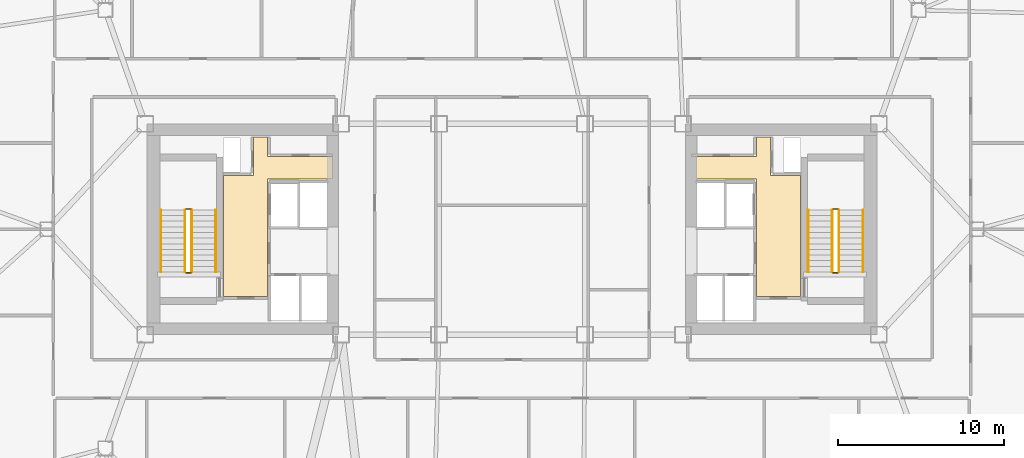
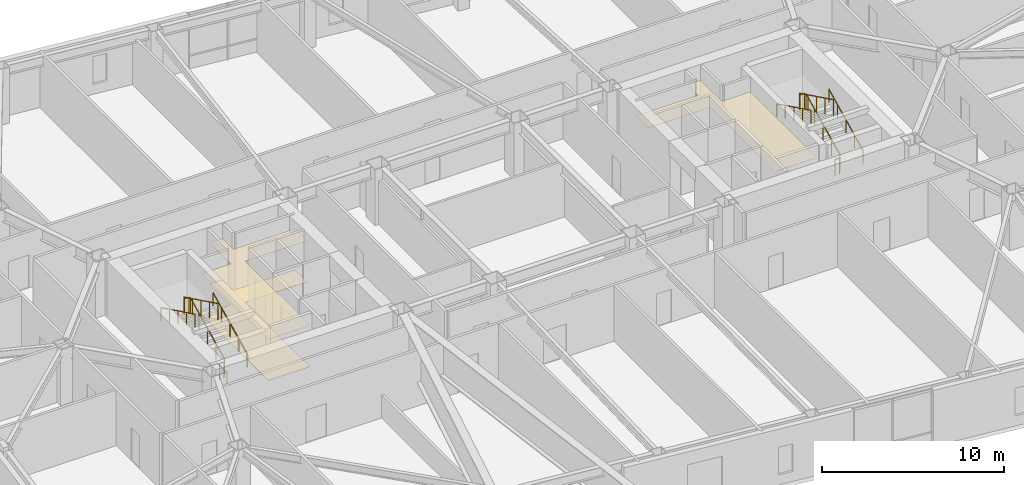
# One storey, part 22 of 22: 12 railings, 3 coverings.
"""IFC4 building model written with IfcOpenShell, lengths in metres."""

from ifc_helpers import new_model, si_unit, direction, frame, origin, origin_2d, place, context, subcontext, project, spatial, polyline, rectangle, outline, extrude, material, layer, layer_set, type_object, element, save


model = new_model("IFC4")

# Units and contexts
model_context = context("Model", 3, precision=1e-05, world=origin(), true_north=direction((0.0, 1.0)))
body_context = subcontext(model_context, "Body", "Model", "MODEL_VIEW")
ifc_project = project(units=[si_unit("LENGTHUNIT", "METRE"), si_unit("AREAUNIT", "SQUARE_METRE"), si_unit("VOLUMEUNIT", "CUBIC_METRE"), si_unit("PLANEANGLEUNIT", "RADIAN"), si_unit("MASSUNIT", "GRAM", prefix="KILO")], contexts=[model_context])

# Site, building, storey
site_placement = place(None, origin())
site = spatial("IfcSite", under=ifc_project, at=site_placement, CompositionType="ELEMENT")
building_placement = place(site_placement, origin())
building = spatial("IfcBuilding", under=site, at=building_placement, Name="Tavrogorsk Clinical Tower", CompositionType="ELEMENT")
storey_placement = place(building_placement, frame((0.0, 0.0, 93.39990234375)))
storey = spatial("IfcBuildingStorey", under=building, at=storey_placement, Name="L20", CompositionType="ELEMENT", Elevation=93.39990234375)

# Coverings
ifc_material_1 = material(Name="Antibacterial micro-perforated aluminium ceiling", Category="aluminium")
ifc_layer_1 = layer(ifc_material_1, 0.014892578125)
ifc_layer_set_1 = layer_set([ifc_layer_1], Name="Antibacterial micro-perforated aluminium ceiling")
covering_type_1 = type_object("IfcCoveringType", Name="ClinicalCeiling_15", PredefinedType="CEILING", material=ifc_layer_set_1)
covering_1_placement = place(storey_placement, frame((0.0, 0.0, 2.75)))
element("IfcCovering", 1, at=covering_1_placement, inside=storey, type_object=covering_type_1, Name="Core West Firefighting Lift Lobby Acoustic Ceiling", PredefinedType="CEILING", context=body_context, shape_type="SweptSolid", body=[
    extrude(outline(polyline([(-14.719970703125, 4.3798828125), (-10.800048828125, 4.3798828125), (-10.800048828125, 3.0400390625), (-14.719970703125, 3.0400390625), (-14.719970703125, -4.06005859375), (-17.3798828125, -4.06005859375), (-17.3798828125, 3.239990234375), (-15.56005859375, 3.239990234375), (-15.56005859375, 5.56005859375), (-14.719970703125, 5.56005859375), (-14.719970703125, 4.3798828125)])), origin(), (0.0, 0.0, 1.0), 0.01513671875),
])
covering_2_placement = place(storey_placement, frame((0.0, 0.0, 2.75)))
element("IfcCovering", 2, at=covering_2_placement, inside=storey, type_object=covering_type_1, Name="Core East Firefighting Lift Lobby Acoustic Ceiling", PredefinedType="CEILING", context=body_context, shape_type="SweptSolid", body=[
    extrude(outline(polyline([(14.719970703125, -4.06005859375), (14.719970703125, 3.0400390625), (10.800048828125, 3.0400390625), (10.800048828125, 4.3798828125), (14.719970703125, 4.3798828125), (14.719970703125, 5.56005859375), (15.56005859375, 5.56005859375), (15.56005859375, 3.239990234375), (17.3798828125, 3.239990234375), (17.3798828125, -4.06005859375), (14.719970703125, -4.06005859375)])), origin(), (0.0, 0.0, 1.0), 0.01513671875),
])
ifc_material_2 = material(Name="Homogeneous medical conductive PVC flooring")
ifc_layer_2 = layer(ifc_material_2, 0.008056640625)
ifc_layer_set_2 = layer_set([ifc_layer_2], Name="Homogeneous medical conductive PVC flooring")
covering_type_2 = type_object("IfcCoveringType", Name="ResilientVinylFloor_8", PredefinedType="FLOORING", material=ifc_layer_set_2)
covering_3_placement = place(storey_placement, origin())
element("IfcCovering", 3, at=covering_3_placement, inside=storey, type_object=covering_type_2, Name="Core West Firefighting Lift Lobby Conductive Vinyl Flooring", PredefinedType="FLOORING", context=body_context, shape_type="SweptSolid", body=[
    extrude(outline(polyline([(-14.719970703125, 4.3798828125), (-10.800048828125, 4.3798828125), (-10.800048828125, 3.0400390625), (-14.719970703125, 3.0400390625), (-14.719970703125, -4.06005859375), (-17.3798828125, -4.06005859375), (-17.3798828125, 3.239990234375), (-15.56005859375, 3.239990234375), (-15.56005859375, 5.56005859375), (-14.719970703125, 5.56005859375), (-14.719970703125, 4.3798828125)])), origin(), (0.0, 0.0, 1.0), 0.008056640625),
])

# Railings
ifc_material_3 = material(Name="Galvanised steel S355 safety stairwell guard", Category="steel")
ifc_layer_3 = layer(ifc_material_3, 0.06005859375)
ifc_layer_set_3 = layer_set([ifc_layer_3], Name="Galvanised steel S355 safety stairwell guard")
railing_type_1 = type_object("IfcRailingType", Name="StairGuard_1150", PredefinedType="GUARDRAIL", material=ifc_layer_set_3)
railing_1_placement = place(storey_placement, frame((-19.300048828125, -2.574951171875, 0.166748046875)))
element("IfcRailing", 4, at=railing_1_placement, inside=storey, type_object=railing_type_1, Name="L20 ST-W stair guard 1", PredefinedType="GUARDRAIL", context=body_context, shape_type="SweptSolid", body=[
    extrude(rectangle(XDim=0.048095703125, YDim=0.048095703125, at=origin_2d()), frame((0.0, 0.0, 1.076171875), z_axis=(0.0, 0.897927990467, 0.440142390523), x_axis=(-1.0, 0.0, 0.0)), (0.0, 0.0, 1.0), 4.1650390625),
    extrude(rectangle(XDim=0.0419921875, YDim=0.0419921875, at=origin_2d()), origin(), (0.0, 0.0, 1.0), 1.052001953125),
    extrude(rectangle(XDim=0.0419921875, YDim=0.0419921875, at=origin_2d()), frame((0.0, 0.93505859375, 0.458251953125)), (0.0, 0.0, 1.0), 1.052001953125),
    extrude(rectangle(XDim=0.0419921875, YDim=0.0419921875, at=origin_2d()), frame((0.0, 1.8701171875, 0.91650390625)), (0.0, 0.0, 1.0), 1.052001953125),
    extrude(rectangle(XDim=0.0419921875, YDim=0.0419921875, at=origin_2d()), frame((0.0, 2.804931640625, 1.375)), (0.0, 0.0, 1.0), 1.052001953125),
    extrude(rectangle(XDim=0.0419921875, YDim=0.0419921875, at=origin_2d()), frame((0.0, 3.739990234375, 1.833251953125)), (0.0, 0.0, 1.0), 1.052001953125),
])
railing_2_placement = place(storey_placement, frame((-19.35009765625, 1.215087890625, 2.0)))
element("IfcRailing", 5, at=railing_2_placement, inside=storey, type_object=railing_type_1, Name="L20 ST-W stair guard 2", PredefinedType="GUARDRAIL", context=body_context, shape_type="SweptSolid", body=[
    extrude(rectangle(XDim=0.048095703125, YDim=0.048095703125, at=origin_2d()), frame((0.0, 0.0, 1.076171875), z_axis=(-1.0, 0.0, 0.0), x_axis=(0.0, -1.0, 0.0)), (0.0, 0.0, 1.0), 0.2998046875),
    extrude(rectangle(XDim=0.0419921875, YDim=0.0419921875, at=origin_2d()), origin(), (0.0, 0.0, 1.0), 1.052001953125),
    extrude(rectangle(XDim=0.0419921875, YDim=0.0419921875, at=origin_2d()), frame((-0.2998046875, 0.0, 0.0)), (0.0, 0.0, 1.0), 1.052001953125),
])
railing_3_placement = place(storey_placement, frame((-19.699951171875, 1.1650390625, 2.166748046875)))
element("IfcRailing", 6, at=railing_3_placement, inside=storey, type_object=railing_type_1, Name="L20 ST-W stair guard 3", PredefinedType="GUARDRAIL", context=body_context, shape_type="SweptSolid", body=[
    extrude(rectangle(XDim=0.048095703125, YDim=0.048095703125, at=origin_2d()), frame((0.0, 0.0, 1.076171875), z_axis=(0.0, -0.897927990467, 0.440142390523), x_axis=(1.0, 0.0, 0.0)), (0.0, 0.0, 1.0), 4.1650390625),
    extrude(rectangle(XDim=0.0419921875, YDim=0.0419921875, at=origin_2d()), origin(), (0.0, 0.0, 1.0), 1.052001953125),
    extrude(rectangle(XDim=0.0419921875, YDim=0.0419921875, at=origin_2d()), frame((0.0, -0.93505859375, 0.458251953125)), (0.0, 0.0, 1.0), 1.052001953125),
    extrude(rectangle(XDim=0.0419921875, YDim=0.0419921875, at=origin_2d()), frame((0.0, -1.8701171875, 0.91650390625)), (0.0, 0.0, 1.0), 1.052001953125),
    extrude(rectangle(XDim=0.0419921875, YDim=0.0419921875, at=origin_2d()), frame((0.0, -2.804931640625, 1.375)), (0.0, 0.0, 1.0), 1.052001953125),
    extrude(rectangle(XDim=0.0419921875, YDim=0.0419921875, at=origin_2d()), frame((0.0, -3.739990234375, 1.833251953125)), (0.0, 0.0, 1.0), 1.052001953125),
])
railing_4_placement = place(storey_placement, frame((-19.35009765625, -2.625, 0.0)))
element("IfcRailing", 7, at=railing_4_placement, inside=storey, type_object=railing_type_1, Name="L20 ST-W stair guard 4", PredefinedType="GUARDRAIL", context=body_context, shape_type="SweptSolid", body=[
    extrude(rectangle(XDim=0.048095703125, YDim=0.048095703125, at=origin_2d()), frame((0.0, 0.0, 1.076171875), z_axis=(-1.0, 0.0, 0.0), x_axis=(0.0, -1.0, 0.0)), (0.0, 0.0, 1.0), 0.2998046875),
    extrude(rectangle(XDim=0.0419921875, YDim=0.0419921875, at=origin_2d()), origin(), (0.0, 0.0, 1.0), 1.052001953125),
    extrude(rectangle(XDim=0.0419921875, YDim=0.0419921875, at=origin_2d()), frame((-0.2998046875, 0.0, 0.0)), (0.0, 0.0, 1.0), 1.052001953125),
])
railing_5_placement = place(storey_placement, frame((19.699951171875, -2.574951171875, 0.166748046875)))
element("IfcRailing", 8, at=railing_5_placement, inside=storey, type_object=railing_type_1, Name="L20 ST-E stair guard 1", PredefinedType="GUARDRAIL", context=body_context, shape_type="SweptSolid", body=[
    extrude(rectangle(XDim=0.048095703125, YDim=0.048095703125, at=origin_2d()), frame((0.0, 0.0, 1.076171875), z_axis=(0.0, 0.897927990467, 0.440142390523), x_axis=(-1.0, 0.0, 0.0)), (0.0, 0.0, 1.0), 4.1650390625),
    extrude(rectangle(XDim=0.0419921875, YDim=0.0419921875, at=origin_2d()), origin(), (0.0, 0.0, 1.0), 1.052001953125),
    extrude(rectangle(XDim=0.0419921875, YDim=0.0419921875, at=origin_2d()), frame((0.0, 0.93505859375, 0.458251953125)), (0.0, 0.0, 1.0), 1.052001953125),
    extrude(rectangle(XDim=0.0419921875, YDim=0.0419921875, at=origin_2d()), frame((0.0, 1.8701171875, 0.91650390625)), (0.0, 0.0, 1.0), 1.052001953125),
    extrude(rectangle(XDim=0.0419921875, YDim=0.0419921875, at=origin_2d()), frame((0.0, 2.804931640625, 1.375)), (0.0, 0.0, 1.0), 1.052001953125),
    extrude(rectangle(XDim=0.0419921875, YDim=0.0419921875, at=origin_2d()), frame((0.0, 3.739990234375, 1.833251953125)), (0.0, 0.0, 1.0), 1.052001953125),
])
railing_6_placement = place(storey_placement, frame((19.64990234375, 1.215087890625, 2.0)))
element("IfcRailing", 9, at=railing_6_placement, inside=storey, type_object=railing_type_1, Name="L20 ST-E stair guard 2", PredefinedType="GUARDRAIL", context=body_context, shape_type="SweptSolid", body=[
    extrude(rectangle(XDim=0.048095703125, YDim=0.048095703125, at=origin_2d()), frame((0.0, 0.0, 1.076171875), z_axis=(-1.0, 0.0, 0.0), x_axis=(0.0, -1.0, 0.0)), (0.0, 0.0, 1.0), 0.2998046875),
    extrude(rectangle(XDim=0.0419921875, YDim=0.0419921875, at=origin_2d()), origin(), (0.0, 0.0, 1.0), 1.052001953125),
    extrude(rectangle(XDim=0.0419921875, YDim=0.0419921875, at=origin_2d()), frame((-0.2998046875, 0.0, 0.0)), (0.0, 0.0, 1.0), 1.052001953125),
])
railing_7_placement = place(storey_placement, frame((19.300048828125, 1.1650390625, 2.166748046875)))
element("IfcRailing", 10, at=railing_7_placement, inside=storey, type_object=railing_type_1, Name="L20 ST-E stair guard 3", PredefinedType="GUARDRAIL", context=body_context, shape_type="SweptSolid", body=[
    extrude(rectangle(XDim=0.048095703125, YDim=0.048095703125, at=origin_2d()), frame((0.0, 0.0, 1.076171875), z_axis=(0.0, -0.897927990467, 0.440142390523), x_axis=(1.0, 0.0, 0.0)), (0.0, 0.0, 1.0), 4.1650390625),
    extrude(rectangle(XDim=0.0419921875, YDim=0.0419921875, at=origin_2d()), origin(), (0.0, 0.0, 1.0), 1.052001953125),
    extrude(rectangle(XDim=0.0419921875, YDim=0.0419921875, at=origin_2d()), frame((0.0, -0.93505859375, 0.458251953125)), (0.0, 0.0, 1.0), 1.052001953125),
    extrude(rectangle(XDim=0.0419921875, YDim=0.0419921875, at=origin_2d()), frame((0.0, -1.8701171875, 0.91650390625)), (0.0, 0.0, 1.0), 1.052001953125),
    extrude(rectangle(XDim=0.0419921875, YDim=0.0419921875, at=origin_2d()), frame((0.0, -2.804931640625, 1.375)), (0.0, 0.0, 1.0), 1.052001953125),
    extrude(rectangle(XDim=0.0419921875, YDim=0.0419921875, at=origin_2d()), frame((0.0, -3.739990234375, 1.833251953125)), (0.0, 0.0, 1.0), 1.052001953125),
])
railing_8_placement = place(storey_placement, frame((19.64990234375, -2.625, 0.0)))
element("IfcRailing", 11, at=railing_8_placement, inside=storey, type_object=railing_type_1, Name="L20 ST-E stair guard 4", PredefinedType="GUARDRAIL", context=body_context, shape_type="SweptSolid", body=[
    extrude(rectangle(XDim=0.048095703125, YDim=0.048095703125, at=origin_2d()), frame((0.0, 0.0, 1.076171875), z_axis=(-1.0, 0.0, 0.0), x_axis=(0.0, -1.0, 0.0)), (0.0, 0.0, 1.0), 0.2998046875),
    extrude(rectangle(XDim=0.0419921875, YDim=0.0419921875, at=origin_2d()), origin(), (0.0, 0.0, 1.0), 1.052001953125),
    extrude(rectangle(XDim=0.0419921875, YDim=0.0419921875, at=origin_2d()), frame((-0.2998046875, 0.0, 0.0)), (0.0, 0.0, 1.0), 1.052001953125),
])
ifc_material_4 = material(Name="Stainless steel AISI 304 tubular handrail", Category="steel")
ifc_layer_4 = layer(ifc_material_4, 0.050048828125)
ifc_layer_set_4 = layer_set([ifc_layer_4], Name="Stainless steel AISI 304 tubular handrail")
railing_type_2 = type_object("IfcRailingType", Name="StairHandrail_920", PredefinedType="HANDRAIL", material=ifc_layer_set_4)
railing_9_placement = place(storey_placement, frame((-17.85009765625, -2.574951171875, 0.166748046875)))
element("IfcRailing", 12, at=railing_9_placement, inside=storey, type_object=railing_type_2, Name="L20 ST-W stair handrail 1", PredefinedType="HANDRAIL", context=body_context, shape_type="SweptSolid", body=[
    extrude(rectangle(XDim=0.048095703125, YDim=0.048095703125, at=origin_2d()), frame((0.0, 0.0, 0.8759765625), z_axis=(0.0, 0.897927990467, 0.440142390523), x_axis=(-1.0, 0.0, 0.0)), (0.0, 0.0, 1.0), 4.1650390625),
    extrude(rectangle(XDim=0.0419921875, YDim=0.0419921875, at=origin_2d()), origin(), (0.0, 0.0, 1.0), 0.851806640625),
    extrude(rectangle(XDim=0.0419921875, YDim=0.0419921875, at=origin_2d()), frame((0.0, 0.93505859375, 0.458251953125)), (0.0, 0.0, 1.0), 0.851806640625),
    extrude(rectangle(XDim=0.0419921875, YDim=0.0419921875, at=origin_2d()), frame((0.0, 1.8701171875, 0.91650390625)), (0.0, 0.0, 1.0), 0.851806640625),
    extrude(rectangle(XDim=0.0419921875, YDim=0.0419921875, at=origin_2d()), frame((0.0, 2.804931640625, 1.375)), (0.0, 0.0, 1.0), 0.851806640625),
    extrude(rectangle(XDim=0.0419921875, YDim=0.0419921875, at=origin_2d()), frame((0.0, 3.739990234375, 1.833251953125)), (0.0, 0.0, 1.0), 0.851806640625),
])
railing_10_placement = place(storey_placement, frame((-21.14990234375, 1.1650390625, 2.166748046875)))
element("IfcRailing", 13, at=railing_10_placement, inside=storey, type_object=railing_type_2, Name="L20 ST-W stair handrail 2", PredefinedType="HANDRAIL", context=body_context, shape_type="SweptSolid", body=[
    extrude(rectangle(XDim=0.048095703125, YDim=0.048095703125, at=origin_2d()), frame((0.0, 0.0, 0.8759765625), z_axis=(0.0, -0.897927990467, 0.440142390523), x_axis=(1.0, 0.0, 0.0)), (0.0, 0.0, 1.0), 4.1650390625),
    extrude(rectangle(XDim=0.0419921875, YDim=0.0419921875, at=origin_2d()), origin(), (0.0, 0.0, 1.0), 0.851806640625),
    extrude(rectangle(XDim=0.0419921875, YDim=0.0419921875, at=origin_2d()), frame((0.0, -0.93505859375, 0.458251953125)), (0.0, 0.0, 1.0), 0.851806640625),
    extrude(rectangle(XDim=0.0419921875, YDim=0.0419921875, at=origin_2d()), frame((0.0, -1.8701171875, 0.91650390625)), (0.0, 0.0, 1.0), 0.851806640625),
    extrude(rectangle(XDim=0.0419921875, YDim=0.0419921875, at=origin_2d()), frame((0.0, -2.804931640625, 1.375)), (0.0, 0.0, 1.0), 0.851806640625),
    extrude(rectangle(XDim=0.0419921875, YDim=0.0419921875, at=origin_2d()), frame((0.0, -3.739990234375, 1.833251953125)), (0.0, 0.0, 1.0), 0.851806640625),
])
railing_11_placement = place(storey_placement, frame((21.14990234375, -2.574951171875, 0.166748046875)))
element("IfcRailing", 14, at=railing_11_placement, inside=storey, type_object=railing_type_2, Name="L20 ST-E stair handrail 1", PredefinedType="HANDRAIL", context=body_context, shape_type="SweptSolid", body=[
    extrude(rectangle(XDim=0.048095703125, YDim=0.048095703125, at=origin_2d()), frame((0.0, 0.0, 0.8759765625), z_axis=(0.0, 0.897927990467, 0.440142390523), x_axis=(-1.0, 0.0, 0.0)), (0.0, 0.0, 1.0), 4.1650390625),
    extrude(rectangle(XDim=0.0419921875, YDim=0.0419921875, at=origin_2d()), origin(), (0.0, 0.0, 1.0), 0.851806640625),
    extrude(rectangle(XDim=0.0419921875, YDim=0.0419921875, at=origin_2d()), frame((0.0, 0.93505859375, 0.458251953125)), (0.0, 0.0, 1.0), 0.851806640625),
    extrude(rectangle(XDim=0.0419921875, YDim=0.0419921875, at=origin_2d()), frame((0.0, 1.8701171875, 0.91650390625)), (0.0, 0.0, 1.0), 0.851806640625),
    extrude(rectangle(XDim=0.0419921875, YDim=0.0419921875, at=origin_2d()), frame((0.0, 2.804931640625, 1.375)), (0.0, 0.0, 1.0), 0.851806640625),
    extrude(rectangle(XDim=0.0419921875, YDim=0.0419921875, at=origin_2d()), frame((0.0, 3.739990234375, 1.833251953125)), (0.0, 0.0, 1.0), 0.851806640625),
])
railing_12_placement = place(storey_placement, frame((17.85009765625, 1.1650390625, 2.166748046875)))
element("IfcRailing", 15, at=railing_12_placement, inside=storey, type_object=railing_type_2, Name="L20 ST-E stair handrail 2", PredefinedType="HANDRAIL", context=body_context, shape_type="SweptSolid", body=[
    extrude(rectangle(XDim=0.048095703125, YDim=0.048095703125, at=origin_2d()), frame((0.0, 0.0, 0.8759765625), z_axis=(0.0, -0.897927990467, 0.440142390523), x_axis=(1.0, 0.0, 0.0)), (0.0, 0.0, 1.0), 4.1650390625),
    extrude(rectangle(XDim=0.0419921875, YDim=0.0419921875, at=origin_2d()), origin(), (0.0, 0.0, 1.0), 0.851806640625),
    extrude(rectangle(XDim=0.0419921875, YDim=0.0419921875, at=origin_2d()), frame((0.0, -0.93505859375, 0.458251953125)), (0.0, 0.0, 1.0), 0.851806640625),
    extrude(rectangle(XDim=0.0419921875, YDim=0.0419921875, at=origin_2d()), frame((0.0, -1.8701171875, 0.91650390625)), (0.0, 0.0, 1.0), 0.851806640625),
    extrude(rectangle(XDim=0.0419921875, YDim=0.0419921875, at=origin_2d()), frame((0.0, -2.804931640625, 1.375)), (0.0, 0.0, 1.0), 0.851806640625),
    extrude(rectangle(XDim=0.0419921875, YDim=0.0419921875, at=origin_2d()), frame((0.0, -3.739990234375, 1.833251953125)), (0.0, 0.0, 1.0), 0.851806640625),
])

save(model, "model.ifc")
